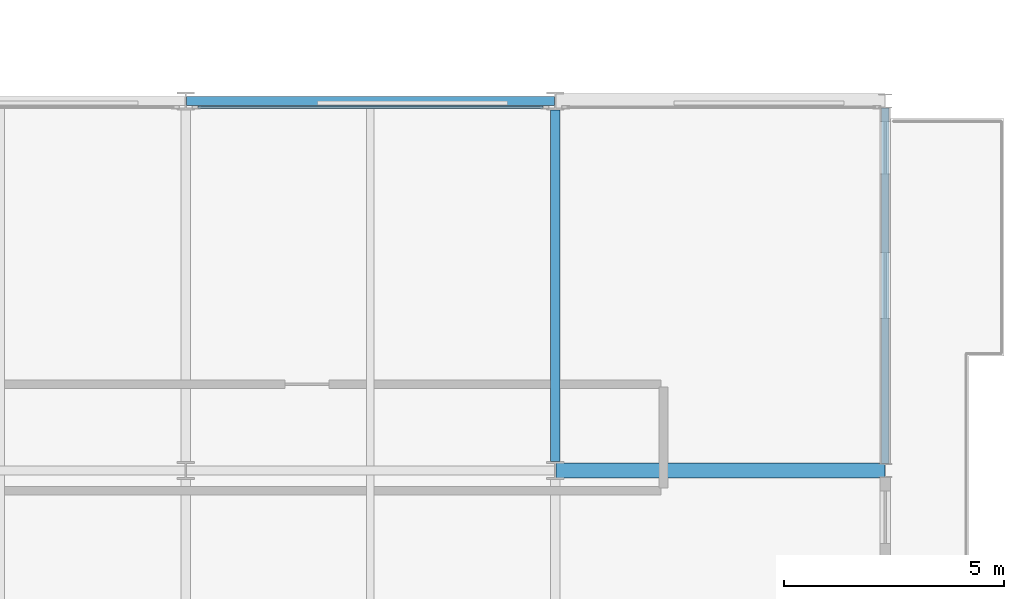
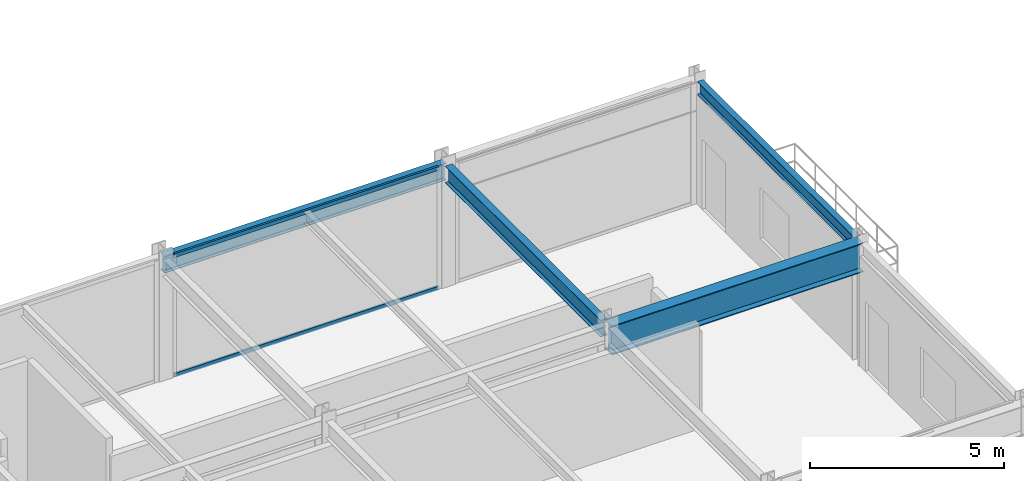
# One storey, part 21 of 38: 4 beams, 2 members, 1 element without a shape of its own.
"""IFC4 building model written with IfcOpenShell, lengths in metres."""

import ifcopenshell
import ifcopenshell.guid

model = None  # the IFC model being written
_history = None  # IfcOwnerHistory: only IFC2X3 demands one
_inside = {}  # id of a spatial element -> (the spatial element, [elements in it])
_under = {}  # id of a project, library or spatial element -> (it, [spatial elements below it])
_declared = {}  # id of a project -> (the project, [libraries it declares])
_typed = {}  # id of a type object -> (the type object, [elements of that type])
_made_of = {}  # id of a material, layer set ... -> (it, [elements and type objects made of it])


def new_model(schema):
    """Start an empty IFC model of exactly this schema.

    Asked for "IFC4X3", IfcOpenShell would pick the latest addendum, in which some entities
    have other attributes; the version numbers below select the first issue.
    IFC2X3 requires an IfcOwnerHistory on every rooted entity: one is made here for all.
    """
    global model, _history
    if schema == "IFC4X3":
        model = ifcopenshell.file(schema_version=(4, 3, 0, 0))
    else:
        model = ifcopenshell.file(schema=schema)
    _inside.clear()
    _under.clear()
    _declared.clear()
    _typed.clear()
    _made_of.clear()
    _history = None
    if model.schema == "IFC2X3":
        org = make("IfcOrganization", Name="unknown")
        user = make(
            "IfcPersonAndOrganization",
            ThePerson=make("IfcPerson", FamilyName="unknown"),
            TheOrganization=org,
        )
        app = make(
            "IfcApplication",
            ApplicationDeveloper=org,
            Version="unknown",
            ApplicationFullName="unknown",
            ApplicationIdentifier="unknown",
        )
        _history = make(
            "IfcOwnerHistory",
            OwningUser=user,
            OwningApplication=app,
            ChangeAction="ADDED",
            CreationDate=0,
        )
    return model


def make(cls, **values):
    """One entity of the class cls with the attributes given. An attribute that is None is left unset."""
    return model.create_entity(
        cls, **{name: value for name, value in values.items() if value is not None}
    )


def rooted(cls, **values):
    """An entity with a GlobalId (a new one), such as an element, a storey or a relation."""
    return make(cls, GlobalId=ifcopenshell.guid.new(), OwnerHistory=_history, **values)


def si_unit(unit_type, name, prefix=None):
    """IfcSIUnit, for example si_unit("LENGTHUNIT", "METRE", prefix="MILLI")."""
    return make("IfcSIUnit", UnitType=unit_type, Prefix=prefix, Name=name)


def assignment(units):
    """IfcUnitAssignment: the units of a project."""
    return None if units is None else make("IfcUnitAssignment", Units=units)


def point(xyz):
    """IfcCartesianPoint."""
    return None if xyz is None else make("IfcCartesianPoint", Coordinates=xyz)


def direction(xyz):
    """IfcDirection."""
    return None if xyz is None else make("IfcDirection", DirectionRatios=xyz)


def frame(location, z_axis=None, x_axis=None):
    """IfcAxis2Placement3D, a coordinate frame: its origin and axes. An axis left out is left unset."""
    return make(
        "IfcAxis2Placement3D",
        Location=point(location),
        Axis=direction(z_axis),
        RefDirection=direction(x_axis),
    )


def frame_2d(location, x_axis=None):
    """IfcAxis2Placement2D, a coordinate frame in the plane: its origin and x axis."""
    return make(
        "IfcAxis2Placement2D", Location=point(location), RefDirection=direction(x_axis)
    )


def origin():
    """The frame at (0, 0, 0) with its axes left unset."""
    return frame((0.0, 0.0, 0.0))


def origin_2d():
    """The frame at (0, 0) in the plane with its x axis left unset."""
    return frame_2d((0.0, 0.0))


def place(relative_to, where):
    """IfcLocalPlacement: puts the frame where relative to a parent placement (None: the world)."""
    return make(
        "IfcLocalPlacement", PlacementRelTo=relative_to, RelativePlacement=where
    )


def context(
    kind, dimensions, precision=None, world=None, true_north=None, identifier=None
):
    """IfcGeometricRepresentationContext, for example the 3D "Model" context."""
    return make(
        "IfcGeometricRepresentationContext",
        ContextIdentifier=identifier,
        ContextType=kind,
        CoordinateSpaceDimension=dimensions,
        Precision=precision,
        WorldCoordinateSystem=world,
        TrueNorth=true_north,
    )


def subcontext(parent, identifier, kind, view, scale=None):
    """IfcGeometricRepresentationSubContext, for example "Body" below "Model"."""
    return make(
        "IfcGeometricRepresentationSubContext",
        ContextIdentifier=identifier,
        ContextType=kind,
        ParentContext=parent,
        TargetScale=scale,
        TargetView=view,
    )


def project(units=None, contexts=None):
    """IfcProject with its units and contexts."""
    return rooted(
        "IfcProject",
        Name="project",
        RepresentationContexts=contexts,
        UnitsInContext=assignment(units),
    )


def spatial(cls, under=None, at=None, **own):
    """A site, building, storey or space (cls), placed at a placement, below another one or the project."""
    s = rooted(cls, ObjectPlacement=at, **own)
    if under is not None:
        _under.setdefault(under.id(), (under, []))[1].append(s)
    return s


def profile(cls, at=None, kind="AREA", **sizes):
    """A parametric profile (cls). Its sizes go by their IFC names, for example OverallWidth=200.0."""
    return make(cls, ProfileType=kind, Position=at, **sizes)


def hollow_rectangle(**sizes):
    """IfcRectangleHollowProfileDef."""
    return profile("IfcRectangleHollowProfileDef", **sizes)


def i_section(**sizes):
    """IfcIShapeProfileDef."""
    return profile("IfcIShapeProfileDef", **sizes)


def extrude(swept, where, along, depth):
    """IfcExtrudedAreaSolid: the profile swept, set in the frame where, extruded along a direction by depth."""
    return make(
        "IfcExtrudedAreaSolid",
        SweptArea=swept,
        Position=where,
        ExtrudedDirection=direction(along),
        Depth=depth,
    )


def shape(context_of_items, identifier, shape_type, items):
    """IfcShapeRepresentation: the items that make up one representation, for example the "Body"."""
    return make(
        "IfcShapeRepresentation",
        ContextOfItems=context_of_items,
        RepresentationIdentifier=identifier,
        RepresentationType=shape_type,
        Items=items,
    )


def material(Name=None, Category=None):
    """IfcMaterial."""
    return make("IfcMaterial", Name=Name, Category=Category)


def layer(
    of_material, thickness, ventilated=None, Name=None, Category=None, Priority=None
):
    """IfcMaterialLayer: one layer of a wall or slab, of a material (None: an air gap)."""
    return make(
        "IfcMaterialLayer",
        Material=of_material,
        LayerThickness=thickness,
        IsVentilated=ventilated,
        Name=Name,
        Category=Category,
        Priority=Priority,
    )


def layer_set(layers, Name=None):
    """IfcMaterialLayerSet."""
    return make("IfcMaterialLayerSet", MaterialLayers=layers, LayerSetName=Name)


def material_profile(
    of_material, cross_section, Name=None, Category=None, Priority=None
):
    """IfcMaterialProfile: a cross section and its material."""
    return make(
        "IfcMaterialProfile",
        Name=Name,
        Material=of_material,
        Profile=cross_section,
        Priority=Priority,
        Category=Category,
    )


def profile_set(profiles, Name=None, composite=None):
    """IfcMaterialProfileSet."""
    return make(
        "IfcMaterialProfileSet",
        Name=Name,
        MaterialProfiles=profiles,
        CompositeProfile=composite,
    )


def made_of(thing, what):
    """Note that an element or type object is made of a material, layer set ...; save() writes the relation."""
    if what is not None:
        _made_of.setdefault(what.id(), (what, []))[1].append(thing)
    return thing


def type_object(cls, material=None, **own):
    """A type object (cls), such as IfcWallType, which elements share."""
    return made_of(rooted(cls, **own), material)


def element(
    cls,
    number,
    at=None,
    inside=None,
    cuts=None,
    type_object=None,
    material=None,
    context=None,
    identifier="Body",
    shape_type=None,
    held_by="IfcProductDefinitionShape",
    body=None,
    shapes=None,
    **own,
):
    """One element of the class cls, such as IfcWall. Its Tag is "e" and its number.

    at: its placement. inside: the storey or other place that contains it. cuts: it is an
    opening in that element (IfcRelVoidsElement). A single representation is given by context,
    identifier, shape_type and body (its items); several are given by shapes. held_by: the class
    of the entity that holds the representations. save() writes the other relations.
    """
    e = rooted(cls, Tag="e%d" % number, ObjectPlacement=at, **own)
    if body is not None:
        shapes = [shape(context, identifier, shape_type, body)]
    if shapes is not None:
        e.Representation = make(held_by, Representations=shapes)
    if inside is not None:
        _inside.setdefault(inside.id(), (inside, []))[1].append(e)
    if cuts is not None:
        rooted(
            "IfcRelVoidsElement", RelatingBuildingElement=cuts, RelatedOpeningElement=e
        )
    if type_object is not None:
        _typed.setdefault(type_object.id(), (type_object, []))[1].append(e)
    return made_of(e, material)


def aggregate(whole, parts):
    """IfcRelAggregates: a whole, such as a stair, and the parts it consists of."""
    return rooted("IfcRelAggregates", RelatingObject=whole, RelatedObjects=parts)


def save(model, path):
    """Write the relations noted so far, then the file.

    IfcRelAggregates (storeys below a building ...), IfcRelContainedInSpatialStructure (elements
    in a storey), IfcRelDefinesByType, IfcRelAssociatesMaterial and IfcRelDeclares: one each for
    every whole, place, type object, material and project.
    """
    for whole, parts in _under.values():
        aggregate(whole, parts)
    for where, things in _inside.values():
        rooted(
            "IfcRelContainedInSpatialStructure",
            RelatedElements=things,
            RelatingStructure=where,
        )
    for kind, things in _typed.values():
        rooted("IfcRelDefinesByType", RelatedObjects=things, RelatingType=kind)
    for what, things in _made_of.values():
        rooted("IfcRelAssociatesMaterial", RelatedObjects=things, RelatingMaterial=what)
    for by, libraries in _declared.values():
        rooted("IfcRelDeclares", RelatingContext=by, RelatedDefinitions=libraries)
    model.write(path)


model = new_model("IFC4")

# Units and contexts
model_context = context("Model", 3, precision=1e-05, world=origin(), true_north=direction((0.0, 1.0)))
body_context = subcontext(model_context, "Body", "Model", "MODEL_VIEW")
ifc_project = project(units=[si_unit("LENGTHUNIT", "METRE"), si_unit("AREAUNIT", "SQUARE_METRE"), si_unit("VOLUMEUNIT", "CUBIC_METRE"), si_unit("PLANEANGLEUNIT", "RADIAN"), si_unit("MASSUNIT", "GRAM", prefix="KILO")], contexts=[model_context])

# Site, building, storey
site_placement = place(None, origin())
site = spatial("IfcSite", under=ifc_project, at=site_placement, CompositionType="ELEMENT")
building_placement = place(site_placement, origin())
building = spatial("IfcBuilding", under=site, at=building_placement, Name="Nerrivon Quay Data Exchange", CompositionType="ELEMENT")
storey_placement = place(building_placement, frame((0.0, 0.0, 96.699951171875)))
storey = spatial("IfcBuildingStorey", under=building, at=storey_placement, Name="L22", CompositionType="ELEMENT", Elevation=96.699951171875)

# Beams
ifc_material_1 = material(Name="Steel Grade 350", Category="steel")
ifc_material_profile_1 = material_profile(ifc_material_1, i_section(OverallWidth=0.35009765625, OverallDepth=0.909912109375, WebThickness=0.011962890625, FlangeThickness=0.02490234375, at=origin_2d()), Name="900WB218")
ifc_profile_set_1 = profile_set([ifc_material_profile_1], Name="Steel Grade 350")
beam_type_1 = type_object("IfcBeamType", Name="BM-CANT-900WB", PredefinedType="USERDEFINED", material=ifc_profile_set_1)
beam_1_placement = place(storey_placement, frame((50.41259765625, 16.800048828125, 3.3701171875), z_axis=(1.0, 0.0, 0.0), x_axis=(0.0, 1.0, 0.0)))
element("IfcBeam", 1, at=beam_1_placement, inside=storey, type_object=beam_type_1, Name="L22 East Hooked Cantilever Girder Y=16.8", ObjectType="TRANSFER", PredefinedType="USERDEFINED", context=body_context, shape_type="SweptSolid", body=[
    extrude(i_section(OverallWidth=0.35009765625, OverallDepth=0.909912109375, WebThickness=0.011962890625, FlangeThickness=0.02490234375, at=origin_2d()), origin(), (0.0, 0.0, 1.0), 7.4794921875),
])
ifc_material_profile_2 = material_profile(ifc_material_1, i_section(OverallWidth=0.208984375, OverallDepth=0.532958984375, WebThickness=0.01025390625, FlangeThickness=0.015625, FilletRadius=0.013916015625, at=origin_2d()), Name="530UB92.4")
ifc_profile_set_2 = profile_set([ifc_material_profile_2], Name="Steel Grade 350")
beam_type_2 = type_object("IfcBeamType", Name="BM-G3-530UB92", PredefinedType="BEAM", material=ifc_profile_set_2)
beam_2_placement = place(storey_placement, frame((42.012451171875, 25.199951171875, 3.55859375), z_axis=(1.0, 0.0, 0.0), x_axis=(0.0, 1.0, 0.0)))
element("IfcBeam", 2, at=beam_2_placement, inside=storey, type_object=beam_type_2, Name="L22 EW Girder Y=25.2 (42.0..50.4)", PredefinedType="BEAM", context=body_context, shape_type="SweptSolid", body=[
    extrude(i_section(OverallWidth=0.208984375, OverallDepth=0.532958984375, WebThickness=0.01025390625, FlangeThickness=0.015625, FilletRadius=0.013916015625, at=origin_2d()), origin(), (0.0, 0.0, 1.0), 8.375),
])
ifc_material_profile_3 = material_profile(ifc_material_1, i_section(OverallWidth=0.208984375, OverallDepth=0.528076171875, WebThickness=0.009521484375, FlangeThickness=0.01318359375, FilletRadius=0.013916015625, at=origin_2d()), Name="530UB82.0")
ifc_profile_set_3 = profile_set([ifc_material_profile_3], Name="Steel Grade 350")
beam_type_3 = type_object("IfcBeamType", Name="BM-G4-530UB82", PredefinedType="BEAM", material=ifc_profile_set_3)
beam_3_placement = place(storey_placement, frame((50.39990234375, 17.0, 3.56103515625), z_axis=(0.0, 1.0, 0.0), x_axis=(-1.0, 0.0, 0.0)))
element("IfcBeam", 3, at=beam_3_placement, inside=storey, type_object=beam_type_3, Name="L22 NS Girder X=50.4 (16.8..25.2)", PredefinedType="BEAM", context=body_context, shape_type="SweptSolid", body=[
    extrude(i_section(OverallWidth=0.208984375, OverallDepth=0.528076171875, WebThickness=0.009521484375, FlangeThickness=0.01318359375, FilletRadius=0.013916015625, at=origin_2d()), origin(), (0.0, 0.0, 1.0), 8.0),
])
ifc_material_profile_4 = material_profile(ifc_material_1, i_section(OverallWidth=0.177978515625, OverallDepth=0.403076171875, WebThickness=0.007568359375, FlangeThickness=0.010986328125, FilletRadius=0.011474609375, at=origin_2d()), Name="410UB53.7")
ifc_profile_set_4 = profile_set([ifc_material_profile_4], Name="Steel Grade 350")
beam_type_4 = type_object("IfcBeamType", Name="BM-SP2-410UB54", PredefinedType="SPANDREL", material=ifc_profile_set_4)
beam_4_placement = place(storey_placement, frame((57.89990234375, 16.96337890625, 3.62353515625), z_axis=(0.0, 1.0, 0.0), x_axis=(-1.0, 0.0, 0.0)))
element("IfcBeam", 4, at=beam_4_placement, inside=storey, type_object=beam_type_4, Name="L22 East Hooked Edge Spandrel", PredefinedType="SPANDREL", context=body_context, shape_type="SweptSolid", body=[
    extrude(i_section(OverallWidth=0.177978515625, OverallDepth=0.403076171875, WebThickness=0.007568359375, FlangeThickness=0.010986328125, FilletRadius=0.011474609375, at=origin_2d()), origin(), (0.0, 0.0, 1.0), 8.0732421875),
])

# Curtain wall, members
ifc_material_2 = material(Name="Anodised aluminium 6063-T6", Category="aluminium")
ifc_layer = layer(ifc_material_2, 0.2099609375)
ifc_layer_set = layer_set([ifc_layer], Name="Anodised aluminium 6063-T6")
curtain_wall_type = type_object("IfcCurtainWallType", Name="CW-SYS-02", PredefinedType="NOTDEFINED", material=ifc_layer_set)
curtain_wall_placement = place(storey_placement, origin())
curtain_wall = element("IfcCurtainWall", 5, at=curtain_wall_placement, inside=storey, type_object=curtain_wall_type, Name="L22 Unitised Curtain Wall 34", PredefinedType="NOTDEFINED")
ifc_material_profile_5 = material_profile(ifc_material_2, hollow_rectangle(XDim=0.06005859375, YDim=0.1201171875, WallThickness=0.003173828125, at=origin_2d()), Name="ALU-TRAN-120x60")
ifc_profile_set_5 = profile_set([ifc_material_profile_5], Name="Anodised aluminium 6063-T6")
member_type = type_object("IfcMemberType", Name="CWT-120x60", PredefinedType="USERDEFINED", material=ifc_profile_set_5)
member_1_placement = place(storey_placement, frame((42.27490234375, 25.06005859375, 0.032470703125), z_axis=(1.0, 0.0, 0.0), x_axis=(0.0, 1.0, 0.0)))
member_1 = element("IfcMember", 6, at=member_1_placement, type_object=member_type, Name="CW02 transom 1.1", ObjectType="TRANSOM", PredefinedType="USERDEFINED", context=body_context, shape_type="SweptSolid", body=[
    extrude(hollow_rectangle(XDim=0.06005859375, YDim=0.1201171875, WallThickness=0.003173828125, at=origin_2d()), origin(), (0.0, 0.0, 1.0), 7.85009765625),
])
member_2_placement = place(storey_placement, frame((42.27490234375, 25.06005859375, 3.79248046875), z_axis=(1.0, 0.0, 0.0), x_axis=(0.0, 1.0, 0.0)))
member_2 = element("IfcMember", 7, at=member_2_placement, type_object=member_type, Name="CW02 transom 1.2", ObjectType="TRANSOM", PredefinedType="USERDEFINED", context=body_context, shape_type="SweptSolid", body=[
    extrude(hollow_rectangle(XDim=0.06005859375, YDim=0.1201171875, WallThickness=0.003173828125, at=origin_2d()), origin(), (0.0, 0.0, 1.0), 7.85009765625),
])
aggregate(curtain_wall, [member_1, member_2])

save(model, "model.ifc")
